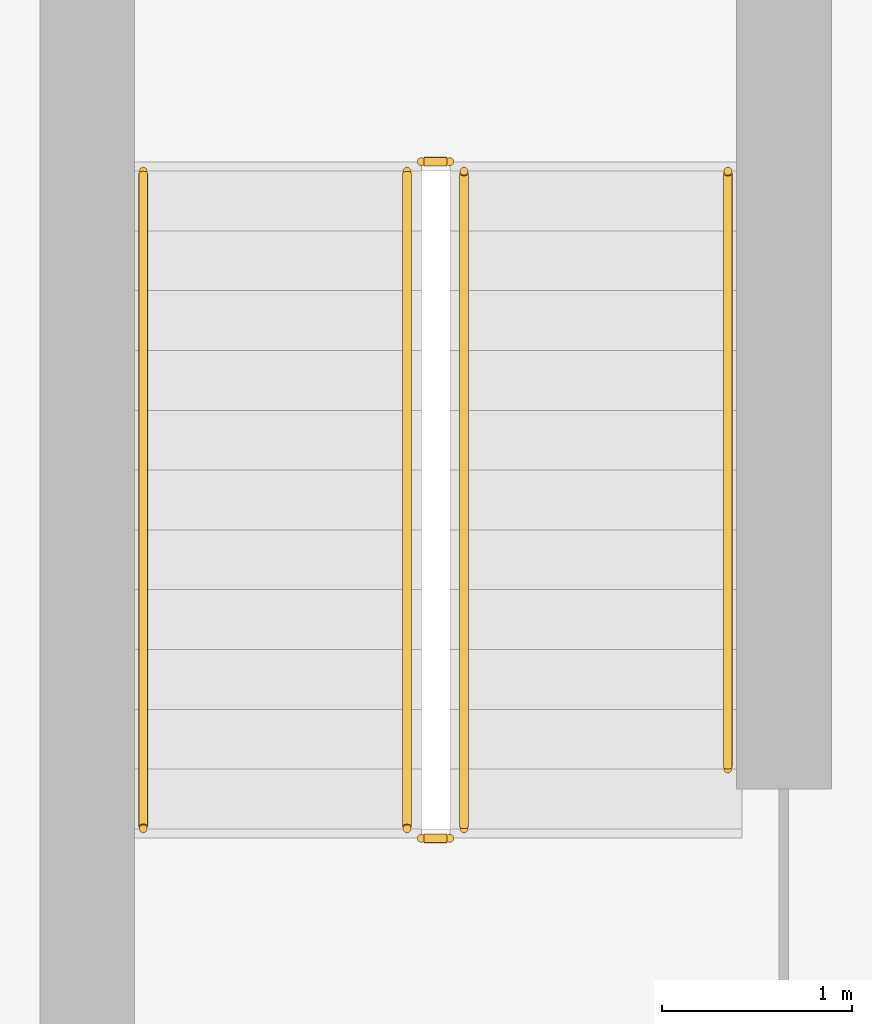
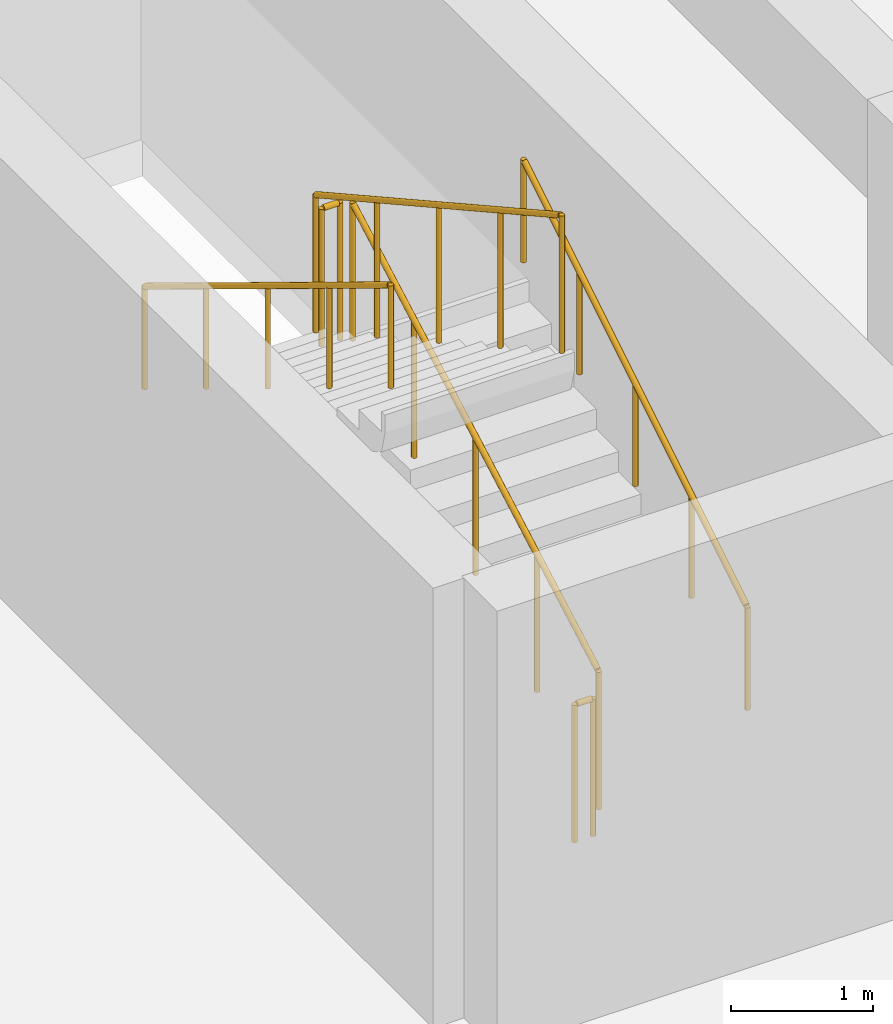
# One storey, part 38 of 39: 6 railings.
"""IFC4 building model written with IfcOpenShell, lengths in metres."""

from ifc_helpers import new_model, si_unit, direction, frame, origin, origin_2d, place, context, subcontext, project, spatial, circle, extrude, material, type_object, element, save


model = new_model("IFC4")

# Units and contexts
model_context = context("Model", 3, precision=1e-05, world=origin(), true_north=direction((0.0, 1.0)))
body_context = subcontext(model_context, "Body", "Model", "MODEL_VIEW")
ifc_project = project(units=[si_unit("LENGTHUNIT", "METRE"), si_unit("AREAUNIT", "SQUARE_METRE"), si_unit("VOLUMEUNIT", "CUBIC_METRE"), si_unit("PLANEANGLEUNIT", "RADIAN"), si_unit("MASSUNIT", "GRAM", prefix="KILO")], contexts=[model_context])

# Site, building, storey
site_placement = place(None, origin())
site = spatial("IfcSite", under=ifc_project, at=site_placement, CompositionType="ELEMENT")
building_placement = place(site_placement, origin())
building = spatial("IfcBuilding", under=site, at=building_placement, Name="Nakhvara Creek Congress Hotel", CompositionType="ELEMENT")
storey_placement = place(building_placement, frame((0.0, 0.0, -4.199951171875)))
storey = spatial("IfcBuildingStorey", under=building, at=storey_placement, Name="B1", CompositionType="ELEMENT", Elevation=-4.199951171875)

# Railings
ifc_material = material(Name="Brushed stainless steel 316L", Category="steel")
railing_type_1 = type_object("IfcRailingType", Name="RL-GUARD-1200", PredefinedType="GUARDRAIL", material=ifc_material)
railing_1_placement = place(storey_placement, frame((158.68505859375, 104.5400390625, 0.175048828125)))
element("IfcRailing", 1, at=railing_1_placement, inside=storey, type_object=railing_type_1, Name="B1 ST02 stair guard 1", PredefinedType="GUARDRAIL", context=body_context, shape_type="SweptSolid", body=[
    extrude(circle(Radius=0.02392578125, at=origin_2d()), frame((0.0, 0.012939453125, 1.18310546875), z_axis=(0.0, 0.874168897738, 0.48562201168), x_axis=(-1.0, 0.0, 0.0)), (0.0, 0.0, 1.0), 3.93408203125),
    extrude(circle(Radius=0.02099609375, at=origin_2d()), origin(), (0.0, 0.0, 1.0), 1.1806640625),
    extrude(circle(Radius=0.02099609375, at=origin_2d()), frame((0.0, 0.8662109375, 0.481201171875)), (0.0, 0.0, 1.0), 1.1806640625),
    extrude(circle(Radius=0.02099609375, at=origin_2d()), frame((0.0, 1.732421875, 0.96240234375)), (0.0, 0.0, 1.0), 1.1806640625),
    extrude(circle(Radius=0.02099609375, at=origin_2d()), frame((0.0, 2.5986328125, 1.443603515625)), (0.0, 0.0, 1.0), 1.1806640625),
    extrude(circle(Radius=0.02099609375, at=origin_2d()), frame((0.0, 3.46484375, 1.9248046875)), (0.0, 0.0, 1.0), 1.1806640625),
])
railing_2_placement = place(storey_placement, frame((158.610107421875, 108.054931640625, 2.099853515625)))
element("IfcRailing", 2, at=railing_2_placement, inside=storey, type_object=railing_type_1, Name="B1 ST02 stair guard 2", PredefinedType="GUARDRAIL", context=body_context, shape_type="SweptSolid", body=[
    extrude(circle(Radius=0.02392578125, at=origin_2d()), frame((-0.0146484375, 0.0, 1.17578125), z_axis=(-1.0, 0.0, 0.0), x_axis=(0.0, -1.0, 0.0)), (0.0, 0.0, 1.0), 0.120849609375),
    extrude(circle(Radius=0.02099609375, at=origin_2d()), origin(), (0.0, 0.0, 1.0), 1.1806640625),
    extrude(circle(Radius=0.02099609375, at=origin_2d()), frame((-0.150146484375, 0.0, 0.0)), (0.0, 0.0, 1.0), 1.1806640625),
])
railing_3_placement = place(storey_placement, frame((158.385009765625, 108.0048828125, 2.27490234375)))
element("IfcRailing", 3, at=railing_3_placement, inside=storey, type_object=railing_type_1, Name="B1 ST02 stair guard 3", PredefinedType="GUARDRAIL", context=body_context, shape_type="SweptSolid", body=[
    extrude(circle(Radius=0.02392578125, at=origin_2d()), frame((0.0, -0.012939453125, 1.18310546875), z_axis=(0.0, -0.874142748832, 0.485669079379), x_axis=(1.0, 0.0, 0.0)), (0.0, 0.0, 1.0), 3.934326171875),
    extrude(circle(Radius=0.02099609375, at=origin_2d()), origin(), (0.0, 0.0, 1.0), 1.1806640625),
    extrude(circle(Radius=0.02099609375, at=origin_2d()), frame((0.0, -0.8662109375, 0.481201171875)), (0.0, 0.0, 1.0), 1.1806640625),
    extrude(circle(Radius=0.02099609375, at=origin_2d()), frame((0.0, -1.732421875, 0.96240234375)), (0.0, 0.0, 1.0), 1.1806640625),
    extrude(circle(Radius=0.02099609375, at=origin_2d()), frame((0.0, -2.5986328125, 1.44384765625)), (0.0, 0.0, 1.0), 1.1806640625),
    extrude(circle(Radius=0.02099609375, at=origin_2d()), frame((0.0, -3.46484375, 1.925048828125)), (0.0, 0.0, 1.0), 1.1806640625),
])
railing_4_placement = place(storey_placement, frame((158.610107421875, 104.489990234375, 0.0)))
element("IfcRailing", 4, at=railing_4_placement, inside=storey, type_object=railing_type_1, Name="B1 ST02 stair guard 4", PredefinedType="GUARDRAIL", context=body_context, shape_type="SweptSolid", body=[
    extrude(circle(Radius=0.02392578125, at=origin_2d()), frame((-0.0146484375, 0.0, 1.17578125), z_axis=(-1.0, 0.0, 0.0), x_axis=(0.0, -1.0, 0.0)), (0.0, 0.0, 1.0), 0.120849609375),
    extrude(circle(Radius=0.02099609375, at=origin_2d()), origin(), (0.0, 0.0, 1.0), 1.1806640625),
    extrude(circle(Radius=0.02099609375, at=origin_2d()), frame((-0.150146484375, 0.0, 0.0)), (0.0, 0.0, 1.0), 1.1806640625),
])
railing_type_2 = type_object("IfcRailingType", Name="RL-HAND-900", PredefinedType="HANDRAIL", material=ifc_material)
railing_5_placement = place(storey_placement, frame((160.074951171875, 104.85498046875, 0.349853515625)))
element("IfcRailing", 5, at=railing_5_placement, inside=storey, type_object=railing_type_2, Name="B1 ST02 stair handrail 1", PredefinedType="HANDRAIL", context=body_context, shape_type="SweptSolid", body=[
    extrude(circle(Radius=0.02392578125, at=origin_2d()), frame((0.0, 0.012451171875, 0.883544921875), z_axis=(0.0, 0.85194385619, 0.523633140567), x_axis=(-1.0, 0.0, 0.0)), (0.0, 0.0, 1.0), 3.66796875),
    extrude(circle(Radius=0.02099609375, at=origin_2d()), origin(), (0.0, 0.0, 1.0), 0.880615234375),
    extrude(circle(Radius=0.02099609375, at=origin_2d()), frame((0.0, 0.78759765625, 0.48388671875)), (0.0, 0.0, 1.0), 0.880615234375),
    extrude(circle(Radius=0.02099609375, at=origin_2d()), frame((0.0, 1.574951171875, 0.968017578125)), (0.0, 0.0, 1.0), 0.880615234375),
    extrude(circle(Radius=0.02099609375, at=origin_2d()), frame((0.0, 2.3623046875, 1.4521484375)), (0.0, 0.0, 1.0), 0.880615234375),
    extrude(circle(Radius=0.02099609375, at=origin_2d()), frame((0.0, 3.14990234375, 1.93603515625)), (0.0, 0.0, 1.0), 0.880615234375),
])
railing_6_placement = place(storey_placement, frame((156.9951171875, 108.0048828125, 2.27490234375)))
element("IfcRailing", 6, at=railing_6_placement, inside=storey, type_object=railing_type_2, Name="B1 ST02 stair handrail 2", PredefinedType="HANDRAIL", context=body_context, shape_type="SweptSolid", body=[
    extrude(circle(Radius=0.02392578125, at=origin_2d()), frame((0.0, -0.012451171875, 0.883544921875), z_axis=(0.0, -0.853974217878, 0.520315322857), x_axis=(1.0, 0.0, 0.0)), (0.0, 0.0, 1.0), 4.02783203125),
    extrude(circle(Radius=0.02099609375, at=origin_2d()), origin(), (0.0, 0.0, 1.0), 0.880615234375),
    extrude(circle(Radius=0.02099609375, at=origin_2d()), frame((0.0, -0.8662109375, 0.52783203125)), (0.0, 0.0, 1.0), 0.880615234375),
    extrude(circle(Radius=0.02099609375, at=origin_2d()), frame((0.0, -1.732421875, 1.0556640625)), (0.0, 0.0, 1.0), 0.880615234375),
    extrude(circle(Radius=0.02099609375, at=origin_2d()), frame((0.0, -2.5986328125, 1.583251953125)), (0.0, 0.0, 1.0), 0.880615234375),
    extrude(circle(Radius=0.02099609375, at=origin_2d()), frame((0.0, -3.46484375, 2.111083984375)), (0.0, 0.0, 1.0), 0.880615234375),
])

save(model, "model.ifc")
